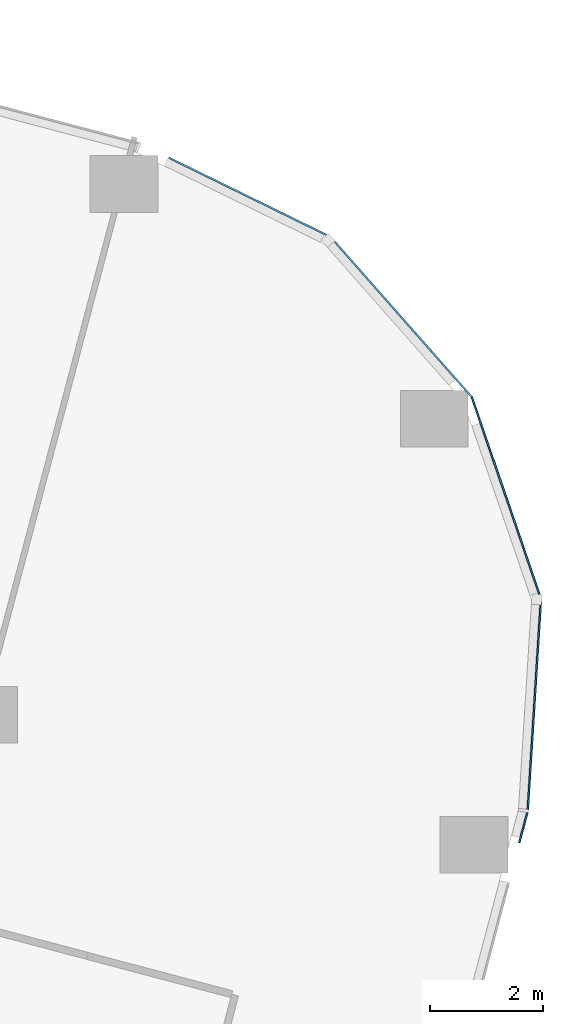
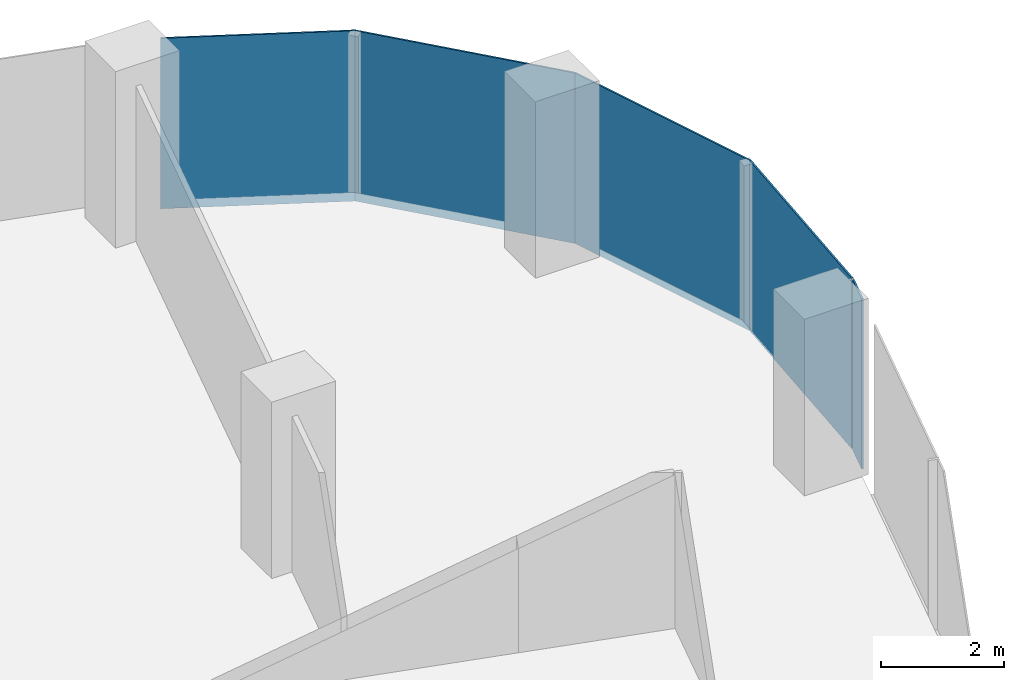
# One storey, part 23 of 34: 5 plates, 5 elements without a shape of their own.
"""IFC4 building model written with IfcOpenShell, lengths in metres."""

from ifc_helpers import new_model, si_unit, direction, frame, origin, origin_2d, place, context, subcontext, project, spatial, rectangle, extrude, material, layer, layer_set, type_object, element, aggregate, save


model = new_model("IFC4")

# Units and contexts
model_context = context("Model", 3, precision=1e-05, world=origin(), true_north=direction((0.0, 1.0)))
body_context = subcontext(model_context, "Body", "Model", "MODEL_VIEW")
ifc_project = project(units=[si_unit("LENGTHUNIT", "METRE"), si_unit("AREAUNIT", "SQUARE_METRE"), si_unit("VOLUMEUNIT", "CUBIC_METRE"), si_unit("PLANEANGLEUNIT", "RADIAN"), si_unit("MASSUNIT", "GRAM", prefix="KILO")], contexts=[model_context])

# Site, building, storey
site_placement = place(None, origin())
site = spatial("IfcSite", under=ifc_project, at=site_placement, CompositionType="ELEMENT")
building_placement = place(site_placement, origin())
building = spatial("IfcBuilding", under=site, at=building_placement, Name="Orlundy Tower", CompositionType="ELEMENT")
storey_placement = place(building_placement, frame((0.0, 0.0, 109.199951171875)))
storey = spatial("IfcBuildingStorey", under=building, at=storey_placement, Name="L27", CompositionType="ELEMENT", Elevation=109.199951171875)

# Curtain wall, plate
ifc_material_1 = material(Name="Aluminium bronze anodised", Category="aluminium")
curtain_wall_type = type_object("IfcCurtainWallType", Name="CW1 wall", PredefinedType="NOTDEFINED", material=ifc_material_1)
curtain_wall_1_placement = place(storey_placement, origin())
curtain_wall_1 = element("IfcCurtainWall", 1, at=curtain_wall_1_placement, inside=storey, type_object=curtain_wall_type, Name="CW1 run 019", PredefinedType="NOTDEFINED")
ifc_material_2 = material(Name="Tinted glass", Category="glass")
ifc_layer = layer(ifc_material_2, 0.031982421875)
ifc_layer_set = layer_set([ifc_layer], Name="CW1 glass panel 32")
plate_type = type_object("IfcPlateType", Name="CW1 glass panel 32", PredefinedType="CURTAIN_PANEL", material=ifc_layer_set)
plate_1_placement = place(storey_placement, frame((56.42724609375, 5.477294921875, -0.27978515625), z_axis=(0.0, 0.0, 1.0), x_axis=(0.898119249702, -0.439751990689, 0.0)))
plate_1 = element("IfcPlate", 2, at=plate_1_placement, type_object=plate_type, Name="CW1 panel", PredefinedType="CURTAIN_PANEL", context=body_context, shape_type="SweptSolid", body=[
    extrude(rectangle(XDim=3.171630859375, YDim=0.031982421875, at=origin_2d()), origin(), (0.0, 0.0, 1.0), 3.3798828125),
])
aggregate(curtain_wall_1, [plate_1])

curtain_wall_2_placement = place(storey_placement, origin())
curtain_wall_2 = element("IfcCurtainWall", 3, at=curtain_wall_2_placement, inside=storey, type_object=curtain_wall_type, Name="CW1 run 020", PredefinedType="NOTDEFINED")
plate_2_placement = place(storey_placement, frame((59.098876953125, 3.365966796875, -0.27978515625), z_axis=(0.0, 0.0, 1.0), x_axis=(0.661612712841, -0.749845729605, 0.0)))
plate_2 = element("IfcPlate", 4, at=plate_2_placement, type_object=plate_type, Name="CW1 panel", PredefinedType="CURTAIN_PANEL", context=body_context, shape_type="SweptSolid", body=[
    extrude(rectangle(XDim=3.771240234375, YDim=0.031982421875, at=origin_2d()), origin(), (0.0, 0.0, 1.0), 3.3798828125),
])
aggregate(curtain_wall_2, [plate_2])

curtain_wall_3_placement = place(storey_placement, origin())
curtain_wall_3 = element("IfcCurtainWall", 5, at=curtain_wall_3_placement, inside=storey, type_object=curtain_wall_type, Name="CW1 run 021", PredefinedType="NOTDEFINED")
plate_3_placement = place(storey_placement, frame((60.958251953125, 0.167724609375, -0.27978515625), z_axis=(0.0, 0.0, 1.0), x_axis=(0.32422777573, -0.945979042815, 0.0)))
plate_3 = element("IfcPlate", 6, at=plate_3_placement, type_object=plate_type, Name="CW1 panel", PredefinedType="CURTAIN_PANEL", context=body_context, shape_type="SweptSolid", body=[
    extrude(rectangle(XDim=3.7724609375, YDim=0.031982421875, at=origin_2d()), origin(), (0.0, 0.0, 1.0), 3.3798828125),
])
aggregate(curtain_wall_3, [plate_3])

curtain_wall_4_placement = place(storey_placement, origin())
curtain_wall_4 = element("IfcCurtainWall", 7, at=curtain_wall_4_placement, inside=storey, type_object=curtain_wall_type, Name="CW1 run 022", PredefinedType="NOTDEFINED")
plate_4_placement = place(storey_placement, frame((61.452880859375, -3.47802734375, -0.27978515625), z_axis=(0.0, 0.0, 1.0), x_axis=(-0.062596654845, -0.998038906457, 0.0)))
plate_4 = element("IfcPlate", 8, at=plate_4_placement, type_object=plate_type, Name="CW1 panel", PredefinedType="CURTAIN_PANEL", context=body_context, shape_type="SweptSolid", body=[
    extrude(rectangle(XDim=3.72998046875, YDim=0.031982421875, at=origin_2d()), origin(), (0.0, 0.0, 1.0), 3.3798828125),
])
aggregate(curtain_wall_4, [plate_4])

curtain_wall_5_placement = place(storey_placement, origin())
curtain_wall_5 = element("IfcCurtainWall", 9, at=curtain_wall_5_placement, inside=storey, type_object=curtain_wall_type, Name="CW1 run 023", PredefinedType="NOTDEFINED")
plate_5_placement = place(storey_placement, frame((61.257568359375, -5.6552734375, -0.27978515625), z_axis=(0.0, 0.0, 1.0), x_axis=(-0.255990719194, -0.966679239296, 0.0)))
plate_5 = element("IfcPlate", 10, at=plate_5_placement, type_object=plate_type, Name="CW1 panel", PredefinedType="CURTAIN_PANEL", context=body_context, shape_type="SweptSolid", body=[
    extrude(rectangle(XDim=0.5517578125, YDim=0.031982421875, at=origin_2d()), origin(), (0.0, 0.0, 1.0), 3.3798828125),
])
aggregate(curtain_wall_5, [plate_5])

save(model, "model.ifc")
